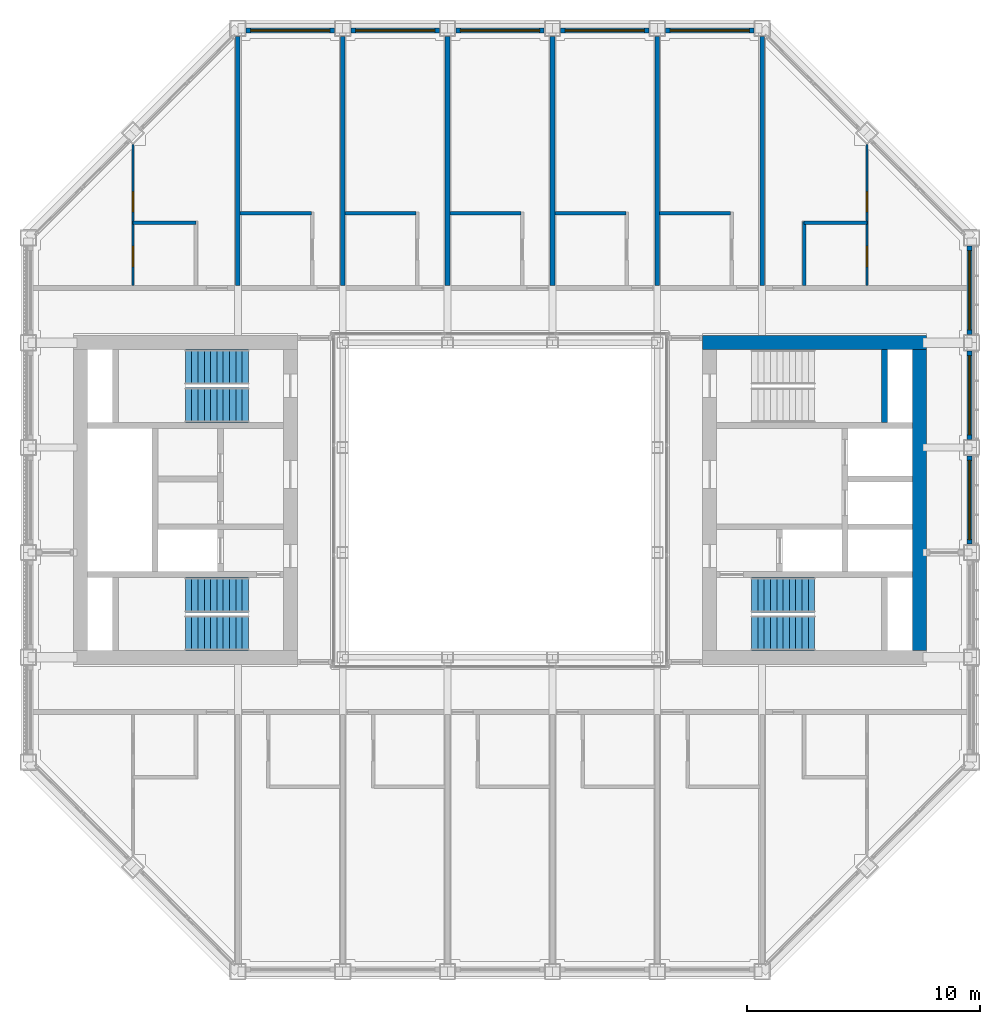
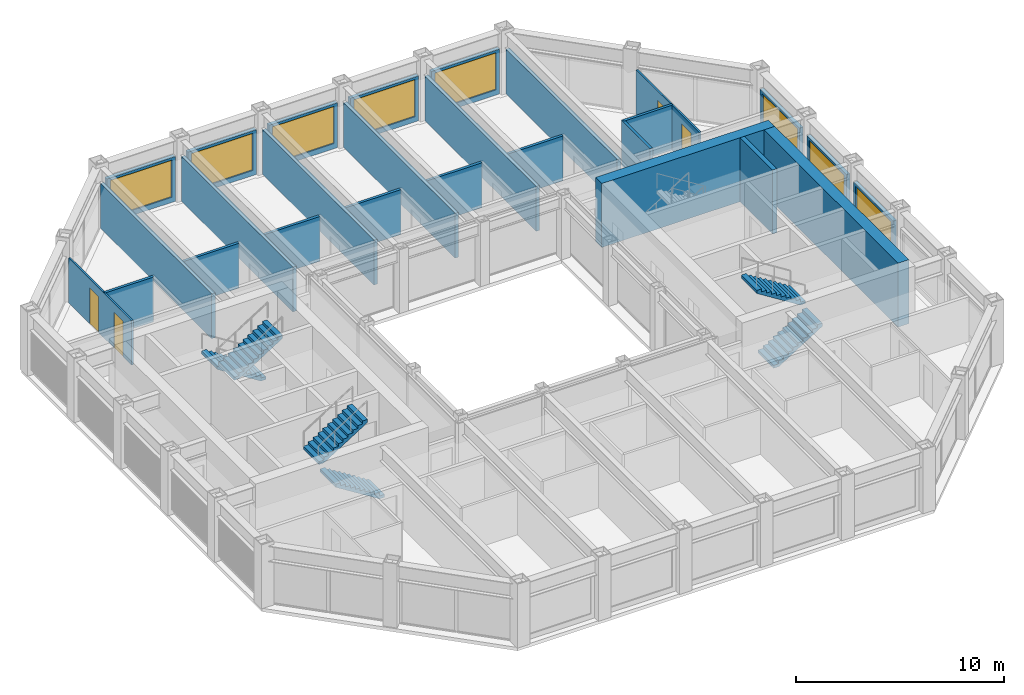
# One storey, part 12 of 18: 27 walls, 8 windows, 6 stair flights, 4 doors, 12 openings, 3 elements without a shape of their own.
"""IFC4 building model written with IfcOpenShell, lengths in metres."""

from ifc_helpers import new_model, si_unit, direction, frame, frame_2d, origin, place, context, subcontext, project, spatial, polyline, rectangle, outline, extrude, material, layer, layer_set, type_object, element, fill, aggregate, save


model = new_model("IFC4")

# Units and contexts
model_context = context("Model", 3, precision=1e-05, world=origin(), true_north=direction((0.0, 1.0)))
body_context = subcontext(model_context, "Body", "Model", "MODEL_VIEW")
ifc_project = project(units=[si_unit("LENGTHUNIT", "METRE"), si_unit("AREAUNIT", "SQUARE_METRE"), si_unit("VOLUMEUNIT", "CUBIC_METRE"), si_unit("PLANEANGLEUNIT", "RADIAN"), si_unit("MASSUNIT", "GRAM", prefix="KILO")], contexts=[model_context])

# Site, building, storey
site_placement = place(None, origin())
site = spatial("IfcSite", under=ifc_project, at=site_placement, CompositionType="ELEMENT")
building_placement = place(site_placement, origin())
building = spatial("IfcBuilding", under=site, at=building_placement, Name="Msasa Ring Tower", CompositionType="ELEMENT")
storey_placement = place(building_placement, frame((0.0, 0.0, 200.800048828125)))
storey = spatial("IfcBuildingStorey", under=building, at=storey_placement, Name="L52", CompositionType="ELEMENT", Elevation=200.800048828125)

# Walls
ifc_material_1 = material(Name="Concrete C60/75", Category="concrete")
ifc_layer_1 = layer(ifc_material_1, 0.60009765625)
ifc_layer_set_1 = layer_set([ifc_layer_1], Name="CW3 CORE WALL 600")
wall_type_1 = type_object("IfcWallType", Name="CW3 CORE WALL 600", PredefinedType="SHEAR", material=ifc_layer_set_1)
wall_1_placement = place(storey_placement, frame((8.699951171875, 6.75, 0.0), z_axis=(0.0, 0.0, 1.0), x_axis=(1.0, 0.0, 0.0)))
element("IfcWall", 1, at=wall_1_placement, inside=storey, type_object=wall_type_1, Name="E core wall N L52", PredefinedType="SHEAR", context=body_context, shape_type="SweptSolid", body=[
    extrude(rectangle(XDim=9.60009765625, YDim=0.60009765625, at=frame_2d((4.800048828125, 0.0))), origin(), (0.0, 0.0, 1.0), 3.75),
])
wall_2_placement = place(storey_placement, frame((18.0, -6.449951171875, 0.0), z_axis=(0.0, 0.0, 1.0), x_axis=(0.0, 1.0, 0.0)))
element("IfcWall", 2, at=wall_2_placement, inside=storey, type_object=wall_type_1, Name="E core wall E L52", PredefinedType="SHEAR", context=body_context, shape_type="SweptSolid", body=[
    extrude(rectangle(XDim=12.89990234375, YDim=0.60009765625, at=frame_2d((6.449951171875, 0.0))), origin(), (0.0, 0.0, 1.0), 3.75),
])
ifc_material_2 = material(Name="Concrete C60/75", Category="concrete")
ifc_layer_2 = layer(ifc_material_2, 0.25)
ifc_layer_set_2 = layer_set([ifc_layer_2], Name="CW4 CORE INNER WALL 250")
wall_type_2 = type_object("IfcWallType", Name="CW4 CORE INNER WALL 250", PredefinedType="SHEAR", material=ifc_layer_set_2)
wall_3_placement = place(storey_placement, frame((16.5, 3.324951171875, 0.0), z_axis=(0.0, 0.0, 1.0), x_axis=(0.0, 1.0, 0.0)))
element("IfcWall", 3, at=wall_3_placement, inside=storey, type_object=wall_type_2, Name="E core wall RISERB L52", PredefinedType="SHEAR", context=body_context, shape_type="SweptSolid", body=[
    extrude(rectangle(XDim=3.125, YDim=0.25, at=frame_2d((1.5625, 0.0))), origin(), (0.0, 0.0, 1.0), 3.75),
])

# Wall, opening, window
ifc_material_3 = material(Name="Terracotta rainscreen on blockwork", Category="masonry")
ifc_layer_3 = layer(ifc_material_3, 0.199951171875)
ifc_layer_set_3 = layer_set([ifc_layer_3], Name="FW1 TERRACOTTA-LINED INFILL BAY WALL 200")
wall_type_3 = type_object("IfcWallType", Name="FW1 TERRACOTTA-LINED INFILL BAY WALL 200", PredefinedType="SOLIDWALL", material=ifc_layer_set_3)
wall_4_placement = place(storey_placement, frame((20.14990234375, -1.89501953125, 0.0), z_axis=(0.0, 0.0, 1.0), x_axis=(0.0, 1.0, 0.0)))
wall_4 = element("IfcWall", 4, at=wall_4_placement, inside=storey, type_object=wall_type_3, Name="Infill bay wall E L52 09", PredefinedType="SOLIDWALL", context=body_context, shape_type="SweptSolid", body=[
    extrude(rectangle(XDim=3.7900390625, YDim=0.199951171875, at=frame_2d((1.89501953125, 0.0))), origin(), (0.0, 0.0, 1.0), 2.62890625),
])
opening_1_placement = place(wall_4_placement, frame((0.195068359375, 0.0, 0.300048828125)))
opening_1 = element("IfcOpeningElement", 5, at=opening_1_placement, cuts=wall_4, Name="Opening WN3", PredefinedType="OPENING", context=body_context, shape_type="SweptSolid", body=[
    extrude(rectangle(XDim=3.39990234375, YDim=2.178955078125, at=frame_2d((1.699951171875, 1.08935546875))), frame((0.0, 0.10986328125, 0.0), z_axis=(0.0, -1.0, 0.0), x_axis=(1.0, 0.0, 0.0)), (0.0, 0.0, 1.0), 0.219970703125),
])
ifc_material_4 = material(Name="Aluminium frame with clear glass", Category="aluminium")
window_type = type_object("IfcWindowType", Name="WN3 SUITE WINDOW 3400x2179", PartitioningType="SINGLE_PANEL", PredefinedType="WINDOW", material=ifc_material_4)
window_1_placement = place(opening_1_placement, origin())
window_1 = element("IfcWindow", 6, at=window_1_placement, inside=storey, type_object=window_type, Name="Window E L52 09", OverallHeight=2.178955078125, OverallWidth=3.39990234375, PartitioningType="SINGLE_PANEL", PredefinedType="WINDOW", context=body_context, shape_type="SweptSolid", body=[
    extrude(rectangle(XDim=3.39990234375, YDim=2.178955078125, at=frame_2d((1.699951171875, 1.08935546875))), frame((0.0, 0.030029296875, 0.0), z_axis=(0.0, -1.0, 0.0), x_axis=(1.0, 0.0, 0.0)), (0.0, 0.0, 1.0), 0.06005859375),
])
fill(opening_1, window_1)

wall_5_placement = place(storey_placement, frame((20.14990234375, 2.60498046875, 0.0), z_axis=(0.0, 0.0, 1.0), x_axis=(0.0, 1.0, 0.0)))
wall_5 = element("IfcWall", 7, at=wall_5_placement, inside=storey, type_object=wall_type_3, Name="Infill bay wall E L52 10", PredefinedType="SOLIDWALL", context=body_context, shape_type="SweptSolid", body=[
    extrude(rectangle(XDim=3.7900390625, YDim=0.199951171875, at=frame_2d((1.89501953125, 0.0))), origin(), (0.0, 0.0, 1.0), 2.62890625),
])
opening_2_placement = place(wall_5_placement, frame((0.195068359375, 0.0, 0.300048828125)))
opening_2 = element("IfcOpeningElement", 8, at=opening_2_placement, cuts=wall_5, Name="Opening WN3", PredefinedType="OPENING", context=body_context, shape_type="SweptSolid", body=[
    extrude(rectangle(XDim=3.39990234375, YDim=2.178955078125, at=frame_2d((1.699951171875, 1.08935546875))), frame((0.0, 0.10986328125, 0.0), z_axis=(0.0, -1.0, 0.0), x_axis=(1.0, 0.0, 0.0)), (0.0, 0.0, 1.0), 0.219970703125),
])
window_2_placement = place(opening_2_placement, origin())
window_2 = element("IfcWindow", 9, at=window_2_placement, inside=storey, type_object=window_type, Name="Window E L52 10", OverallHeight=2.178955078125, OverallWidth=3.39990234375, PartitioningType="SINGLE_PANEL", PredefinedType="WINDOW", context=body_context, shape_type="SweptSolid", body=[
    extrude(rectangle(XDim=3.39990234375, YDim=2.178955078125, at=frame_2d((1.699951171875, 1.08935546875))), frame((0.0, 0.030029296875, 0.0), z_axis=(0.0, -1.0, 0.0), x_axis=(1.0, 0.0, 0.0)), (0.0, 0.0, 1.0), 0.06005859375),
])
fill(opening_2, window_2)

wall_6_placement = place(storey_placement, frame((20.14990234375, 7.10498046875, 0.0), z_axis=(0.0, 0.0, 1.0), x_axis=(0.0, 1.0, 0.0)))
wall_6 = element("IfcWall", 10, at=wall_6_placement, inside=storey, type_object=wall_type_3, Name="Infill bay wall E L52 11", PredefinedType="SOLIDWALL", context=body_context, shape_type="SweptSolid", body=[
    extrude(rectangle(XDim=3.7900390625, YDim=0.199951171875, at=frame_2d((1.89501953125, 0.0))), origin(), (0.0, 0.0, 1.0), 2.62890625),
])
opening_3_placement = place(wall_6_placement, frame((0.195068359375, 0.0, 0.300048828125)))
opening_3 = element("IfcOpeningElement", 11, at=opening_3_placement, cuts=wall_6, Name="Opening WN3", PredefinedType="OPENING", context=body_context, shape_type="SweptSolid", body=[
    extrude(rectangle(XDim=3.39990234375, YDim=2.178955078125, at=frame_2d((1.699951171875, 1.08935546875))), frame((0.0, 0.10986328125, 0.0), z_axis=(0.0, -1.0, 0.0), x_axis=(1.0, 0.0, 0.0)), (0.0, 0.0, 1.0), 0.219970703125),
])
window_3_placement = place(opening_3_placement, origin())
window_3 = element("IfcWindow", 12, at=window_3_placement, inside=storey, type_object=window_type, Name="Window E L52 11", OverallHeight=2.178955078125, OverallWidth=3.39990234375, PartitioningType="SINGLE_PANEL", PredefinedType="WINDOW", context=body_context, shape_type="SweptSolid", body=[
    extrude(rectangle(XDim=3.39990234375, YDim=2.178955078125, at=frame_2d((1.699951171875, 1.08935546875))), frame((0.0, 0.030029296875, 0.0), z_axis=(0.0, -1.0, 0.0), x_axis=(1.0, 0.0, 0.0)), (0.0, 0.0, 1.0), 0.06005859375),
])
fill(opening_3, window_3)

wall_7_placement = place(storey_placement, frame((-10.89501953125, 20.14990234375, 0.0), z_axis=(0.0, 0.0, 1.0), x_axis=(1.0, 0.0, 0.0)))
wall_7 = element("IfcWall", 13, at=wall_7_placement, inside=storey, type_object=wall_type_3, Name="Infill bay wall N L52 14", PredefinedType="SOLIDWALL", context=body_context, shape_type="SweptSolid", body=[
    extrude(rectangle(XDim=3.7900390625, YDim=0.199951171875, at=frame_2d((1.89501953125, 0.0))), origin(), (0.0, 0.0, 1.0), 2.62890625),
])
opening_4_placement = place(wall_7_placement, frame((0.195068359375, 0.0, 0.300048828125)))
opening_4 = element("IfcOpeningElement", 14, at=opening_4_placement, cuts=wall_7, Name="Opening WN3", PredefinedType="OPENING", context=body_context, shape_type="SweptSolid", body=[
    extrude(rectangle(XDim=3.39990234375, YDim=2.178955078125, at=frame_2d((1.699951171875, 1.08935546875))), frame((0.0, 0.10986328125, 0.0), z_axis=(0.0, -1.0, 0.0), x_axis=(1.0, 0.0, 0.0)), (0.0, 0.0, 1.0), 0.219970703125),
])
window_4_placement = place(opening_4_placement, origin())
window_4 = element("IfcWindow", 15, at=window_4_placement, inside=storey, type_object=window_type, Name="Window N L52 14", OverallHeight=2.178955078125, OverallWidth=3.39990234375, PartitioningType="SINGLE_PANEL", PredefinedType="WINDOW", context=body_context, shape_type="SweptSolid", body=[
    extrude(rectangle(XDim=3.39990234375, YDim=2.178955078125, at=frame_2d((1.699951171875, 1.08935546875))), frame((0.0, 0.030029296875, 0.0), z_axis=(0.0, -1.0, 0.0), x_axis=(1.0, 0.0, 0.0)), (0.0, 0.0, 1.0), 0.06005859375),
])
fill(opening_4, window_4)

wall_8_placement = place(storey_placement, frame((-6.39501953125, 20.14990234375, 0.0), z_axis=(0.0, 0.0, 1.0), x_axis=(1.0, 0.0, 0.0)))
wall_8 = element("IfcWall", 16, at=wall_8_placement, inside=storey, type_object=wall_type_3, Name="Infill bay wall N L52 15", PredefinedType="SOLIDWALL", context=body_context, shape_type="SweptSolid", body=[
    extrude(rectangle(XDim=3.7900390625, YDim=0.199951171875, at=frame_2d((1.89501953125, 0.0))), origin(), (0.0, 0.0, 1.0), 2.62890625),
])
opening_5_placement = place(wall_8_placement, frame((0.195068359375, 0.0, 0.300048828125)))
opening_5 = element("IfcOpeningElement", 17, at=opening_5_placement, cuts=wall_8, Name="Opening WN3", PredefinedType="OPENING", context=body_context, shape_type="SweptSolid", body=[
    extrude(rectangle(XDim=3.39990234375, YDim=2.178955078125, at=frame_2d((1.699951171875, 1.08935546875))), frame((0.0, 0.10986328125, 0.0), z_axis=(0.0, -1.0, 0.0), x_axis=(1.0, 0.0, 0.0)), (0.0, 0.0, 1.0), 0.219970703125),
])
window_5_placement = place(opening_5_placement, origin())
window_5 = element("IfcWindow", 18, at=window_5_placement, inside=storey, type_object=window_type, Name="Window N L52 15", OverallHeight=2.178955078125, OverallWidth=3.39990234375, PartitioningType="SINGLE_PANEL", PredefinedType="WINDOW", context=body_context, shape_type="SweptSolid", body=[
    extrude(rectangle(XDim=3.39990234375, YDim=2.178955078125, at=frame_2d((1.699951171875, 1.08935546875))), frame((0.0, 0.030029296875, 0.0), z_axis=(0.0, -1.0, 0.0), x_axis=(1.0, 0.0, 0.0)), (0.0, 0.0, 1.0), 0.06005859375),
])
fill(opening_5, window_5)

wall_9_placement = place(storey_placement, frame((-1.89501953125, 20.14990234375, 0.0), z_axis=(0.0, 0.0, 1.0), x_axis=(1.0, 0.0, 0.0)))
wall_9 = element("IfcWall", 19, at=wall_9_placement, inside=storey, type_object=wall_type_3, Name="Infill bay wall N L52 16", PredefinedType="SOLIDWALL", context=body_context, shape_type="SweptSolid", body=[
    extrude(rectangle(XDim=3.7900390625, YDim=0.199951171875, at=frame_2d((1.89501953125, 0.0))), origin(), (0.0, 0.0, 1.0), 2.62890625),
])
opening_6_placement = place(wall_9_placement, frame((0.195068359375, 0.0, 0.300048828125)))
opening_6 = element("IfcOpeningElement", 20, at=opening_6_placement, cuts=wall_9, Name="Opening WN3", PredefinedType="OPENING", context=body_context, shape_type="SweptSolid", body=[
    extrude(rectangle(XDim=3.39990234375, YDim=2.178955078125, at=frame_2d((1.699951171875, 1.08935546875))), frame((0.0, 0.10986328125, 0.0), z_axis=(0.0, -1.0, 0.0), x_axis=(1.0, 0.0, 0.0)), (0.0, 0.0, 1.0), 0.219970703125),
])
window_6_placement = place(opening_6_placement, origin())
window_6 = element("IfcWindow", 21, at=window_6_placement, inside=storey, type_object=window_type, Name="Window N L52 16", OverallHeight=2.178955078125, OverallWidth=3.39990234375, PartitioningType="SINGLE_PANEL", PredefinedType="WINDOW", context=body_context, shape_type="SweptSolid", body=[
    extrude(rectangle(XDim=3.39990234375, YDim=2.178955078125, at=frame_2d((1.699951171875, 1.08935546875))), frame((0.0, 0.030029296875, 0.0), z_axis=(0.0, -1.0, 0.0), x_axis=(1.0, 0.0, 0.0)), (0.0, 0.0, 1.0), 0.06005859375),
])
fill(opening_6, window_6)

wall_10_placement = place(storey_placement, frame((2.60498046875, 20.14990234375, 0.0), z_axis=(0.0, 0.0, 1.0), x_axis=(1.0, 0.0, 0.0)))
wall_10 = element("IfcWall", 22, at=wall_10_placement, inside=storey, type_object=wall_type_3, Name="Infill bay wall N L52 17", PredefinedType="SOLIDWALL", context=body_context, shape_type="SweptSolid", body=[
    extrude(rectangle(XDim=3.7900390625, YDim=0.199951171875, at=frame_2d((1.89501953125, 0.0))), origin(), (0.0, 0.0, 1.0), 2.62890625),
])
opening_7_placement = place(wall_10_placement, frame((0.195068359375, 0.0, 0.300048828125)))
opening_7 = element("IfcOpeningElement", 23, at=opening_7_placement, cuts=wall_10, Name="Opening WN3", PredefinedType="OPENING", context=body_context, shape_type="SweptSolid", body=[
    extrude(rectangle(XDim=3.39990234375, YDim=2.178955078125, at=frame_2d((1.699951171875, 1.08935546875))), frame((0.0, 0.10986328125, 0.0), z_axis=(0.0, -1.0, 0.0), x_axis=(1.0, 0.0, 0.0)), (0.0, 0.0, 1.0), 0.219970703125),
])
window_7_placement = place(opening_7_placement, origin())
window_7 = element("IfcWindow", 24, at=window_7_placement, inside=storey, type_object=window_type, Name="Window N L52 17", OverallHeight=2.178955078125, OverallWidth=3.39990234375, PartitioningType="SINGLE_PANEL", PredefinedType="WINDOW", context=body_context, shape_type="SweptSolid", body=[
    extrude(rectangle(XDim=3.39990234375, YDim=2.178955078125, at=frame_2d((1.699951171875, 1.08935546875))), frame((0.0, 0.030029296875, 0.0), z_axis=(0.0, -1.0, 0.0), x_axis=(1.0, 0.0, 0.0)), (0.0, 0.0, 1.0), 0.06005859375),
])
fill(opening_7, window_7)

wall_11_placement = place(storey_placement, frame((7.10498046875, 20.14990234375, 0.0), z_axis=(0.0, 0.0, 1.0), x_axis=(1.0, 0.0, 0.0)))
wall_11 = element("IfcWall", 25, at=wall_11_placement, inside=storey, type_object=wall_type_3, Name="Infill bay wall N L52 18", PredefinedType="SOLIDWALL", context=body_context, shape_type="SweptSolid", body=[
    extrude(rectangle(XDim=3.7900390625, YDim=0.199951171875, at=frame_2d((1.89501953125, 0.0))), origin(), (0.0, 0.0, 1.0), 2.62890625),
])
opening_8_placement = place(wall_11_placement, frame((0.195068359375, 0.0, 0.300048828125)))
opening_8 = element("IfcOpeningElement", 26, at=opening_8_placement, cuts=wall_11, Name="Opening WN3", PredefinedType="OPENING", context=body_context, shape_type="SweptSolid", body=[
    extrude(rectangle(XDim=3.39990234375, YDim=2.178955078125, at=frame_2d((1.699951171875, 1.08935546875))), frame((0.0, 0.10986328125, 0.0), z_axis=(0.0, -1.0, 0.0), x_axis=(1.0, 0.0, 0.0)), (0.0, 0.0, 1.0), 0.219970703125),
])
window_8_placement = place(opening_8_placement, origin())
window_8 = element("IfcWindow", 27, at=window_8_placement, inside=storey, type_object=window_type, Name="Window N L52 18", OverallHeight=2.178955078125, OverallWidth=3.39990234375, PartitioningType="SINGLE_PANEL", PredefinedType="WINDOW", context=body_context, shape_type="SweptSolid", body=[
    extrude(rectangle(XDim=3.39990234375, YDim=2.178955078125, at=frame_2d((1.699951171875, 1.08935546875))), frame((0.0, 0.030029296875, 0.0), z_axis=(0.0, -1.0, 0.0), x_axis=(1.0, 0.0, 0.0)), (0.0, 0.0, 1.0), 0.06005859375),
])
fill(opening_8, window_8)

# Wall, openings, doors
ifc_material_5 = material(Name="Gypsum board on steel studs", Category="steel")
ifc_layer_4 = layer(ifc_material_5, 0.10009765625)
ifc_layer_set_4 = layer_set([ifc_layer_4], Name="PT2 STUD PARTITION 100")
wall_type_4 = type_object("IfcWallType", Name="PT2 STUD PARTITION 100", PredefinedType="PARTITIONING", material=ifc_layer_set_4)
wall_12_placement = place(storey_placement, frame((15.75, 9.199951171875, 0.0), z_axis=(0.0, 0.0, 1.0), x_axis=(0.0, 1.0, 0.0)))
wall_12 = element("IfcWall", 28, at=wall_12_placement, inside=storey, type_object=wall_type_4, Name="Partition L52-CSNEP1", PredefinedType="PARTITIONING", context=body_context, shape_type="SweptSolid", body=[
    extrude(rectangle(XDim=6.054931640625, YDim=0.10009765625, at=frame_2d((3.02734375, 0.0))), origin(), (0.0, 0.0, 1.0), 2.62890625),
])
opening_9_placement = place(wall_12_placement, frame((3.175048828125, 0.0, 0.0)))
opening_9 = element("IfcOpeningElement", 29, at=opening_9_placement, cuts=wall_12, Name="Opening SA-002", PredefinedType="OPENING", context=body_context, shape_type="SweptSolid", body=[
    extrude(rectangle(XDim=0.85009765625, YDim=2.10009765625, at=frame_2d((0.425048828125, 1.050048828125))), frame((0.0, 0.06005859375, 0.0), z_axis=(0.0, -1.0, 0.0), x_axis=(1.0, 0.0, 0.0)), (0.0, 0.0, 1.0), 0.1201171875),
])
opening_10_placement = place(wall_12_placement, frame((0.800048828125, 0.0, 0.0)))
opening_10 = element("IfcOpeningElement", 30, at=opening_10_placement, cuts=wall_12, Name="Opening SA-009", PredefinedType="OPENING", context=body_context, shape_type="SweptSolid", body=[
    extrude(rectangle(XDim=0.89990234375, YDim=2.10009765625, at=frame_2d((0.449951171875, 1.050048828125))), frame((0.0, 0.06005859375, 0.0), z_axis=(0.0, -1.0, 0.0), x_axis=(1.0, 0.0, 0.0)), (0.0, 0.0, 1.0), 0.1201171875),
])
ifc_material_6 = material(Name="Timber door leaf in a steel frame", Category="steel")
door_type_1 = type_object("IfcDoorType", Name="D14 BEDROOM DOOR 850x2100", OperationType="SINGLE_SWING_LEFT", PredefinedType="DOOR", material=ifc_material_6)
door_1_placement = place(opening_9_placement, origin())
door_1 = element("IfcDoor", 31, at=door_1_placement, inside=storey, type_object=door_type_1, Name="Door L52-CSNER1", OperationType="SINGLE_SWING_RIGHT", OverallHeight=2.10009765625, OverallWidth=0.85009765625, PredefinedType="DOOR", context=body_context, shape_type="SweptSolid", body=[
    extrude(rectangle(XDim=0.85009765625, YDim=2.10009765625, at=frame_2d((0.425048828125, 1.050048828125))), frame((0.0, 0.02490234375, 0.0), z_axis=(0.0, -1.0, 0.0), x_axis=(1.0, 0.0, 0.0)), (0.0, 0.0, 1.0), 0.050048828125),
])
fill(opening_9, door_1)
ifc_material_7 = material(Name="Timber door leaf in a steel frame", Category="steel")
door_type_2 = type_object("IfcDoorType", Name="D3 BATHROOM DOOR 900x2100", OperationType="SINGLE_SWING_LEFT", PredefinedType="DOOR", material=ifc_material_7)
door_2_placement = place(opening_10_placement, origin())
door_2 = element("IfcDoor", 32, at=door_2_placement, inside=storey, type_object=door_type_2, Name="Door L52-CSNEB1", OperationType="SINGLE_SWING_LEFT", OverallHeight=2.10009765625, OverallWidth=0.89990234375, PredefinedType="DOOR", context=body_context, shape_type="SweptSolid", body=[
    extrude(rectangle(XDim=0.89990234375, YDim=2.10009765625, at=frame_2d((0.449951171875, 1.050048828125))), frame((0.0, 0.02490234375, 0.0), z_axis=(0.0, -1.0, 0.0), x_axis=(1.0, 0.0, 0.0)), (0.0, 0.0, 1.0), 0.050048828125),
])
fill(opening_10, door_2)

wall_13_placement = place(storey_placement, frame((-15.75, 9.199951171875, 0.0), z_axis=(0.0, 0.0, 1.0), x_axis=(0.0, 1.0, 0.0)))
wall_13 = element("IfcWall", 33, at=wall_13_placement, inside=storey, type_object=wall_type_4, Name="Partition L52-CSNWP1", PredefinedType="PARTITIONING", context=body_context, shape_type="SweptSolid", body=[
    extrude(rectangle(XDim=6.054931640625, YDim=0.10009765625, at=frame_2d((3.02734375, 0.0))), origin(), (0.0, 0.0, 1.0), 2.62890625),
])
opening_11_placement = place(wall_13_placement, frame((3.175048828125, 0.0, 0.0)))
opening_11 = element("IfcOpeningElement", 34, at=opening_11_placement, cuts=wall_13, Name="Opening SA-001", PredefinedType="OPENING", context=body_context, shape_type="SweptSolid", body=[
    extrude(rectangle(XDim=0.85009765625, YDim=2.10009765625, at=frame_2d((0.425048828125, 1.050048828125))), frame((0.0, 0.06005859375, 0.0), z_axis=(0.0, -1.0, 0.0), x_axis=(1.0, 0.0, 0.0)), (0.0, 0.0, 1.0), 0.1201171875),
])
opening_12_placement = place(wall_13_placement, frame((0.800048828125, 0.0, 0.0)))
opening_12 = element("IfcOpeningElement", 35, at=opening_12_placement, cuts=wall_13, Name="Opening SA-008", PredefinedType="OPENING", context=body_context, shape_type="SweptSolid", body=[
    extrude(rectangle(XDim=0.89990234375, YDim=2.10009765625, at=frame_2d((0.449951171875, 1.050048828125))), frame((0.0, 0.06005859375, 0.0), z_axis=(0.0, -1.0, 0.0), x_axis=(1.0, 0.0, 0.0)), (0.0, 0.0, 1.0), 0.1201171875),
])
door_3_placement = place(opening_11_placement, origin())
door_3 = element("IfcDoor", 36, at=door_3_placement, inside=storey, type_object=door_type_1, Name="Door L52-CSNWR1", OperationType="SINGLE_SWING_RIGHT", OverallHeight=2.10009765625, OverallWidth=0.85009765625, PredefinedType="DOOR", context=body_context, shape_type="SweptSolid", body=[
    extrude(rectangle(XDim=0.85009765625, YDim=2.10009765625, at=frame_2d((0.425048828125, 1.050048828125))), frame((0.0, 0.02490234375, 0.0), z_axis=(0.0, -1.0, 0.0), x_axis=(1.0, 0.0, 0.0)), (0.0, 0.0, 1.0), 0.050048828125),
])
fill(opening_11, door_3)
door_4_placement = place(opening_12_placement, origin())
door_4 = element("IfcDoor", 37, at=door_4_placement, inside=storey, type_object=door_type_2, Name="Door L52-CSNWB1", OperationType="SINGLE_SWING_LEFT", OverallHeight=2.10009765625, OverallWidth=0.89990234375, PredefinedType="DOOR", context=body_context, shape_type="SweptSolid", body=[
    extrude(rectangle(XDim=0.89990234375, YDim=2.10009765625, at=frame_2d((0.449951171875, 1.050048828125))), frame((0.0, 0.02490234375, 0.0), z_axis=(0.0, -1.0, 0.0), x_axis=(1.0, 0.0, 0.0)), (0.0, 0.0, 1.0), 0.050048828125),
])
fill(opening_12, door_4)

# Walls
ifc_material_8 = material(Name="Dense concrete blockwork, plastered both faces", Category="masonry")
ifc_layer_5 = layer(ifc_material_8, 0.25)
ifc_layer_set_5 = layer_set([ifc_layer_5], Name="PT3 APARTMENT SEPARATING WALL 250")
wall_type_5 = type_object("IfcWallType", Name="PT3 APARTMENT SEPARATING WALL 250", PredefinedType="PARTITIONING", material=ifc_layer_set_5)
for number, where, z_axis, x_axis, name in (
    (38, (-11.25, 9.199951171875, 0.0), (0.0, 0.0, 1.0), (0.0, 1.0, 0.0), "Party wall L52-PWN-11.25"),
    (39, (-6.75, 9.199951171875, 0.0), (0.0, 0.0, 1.0), (0.0, 1.0, 0.0), "Party wall L52-PWN-6.75"),
    (40, (-2.25, 9.199951171875, 0.0), (0.0, 0.0, 1.0), (0.0, 1.0, 0.0), "Party wall L52-PWN-2.25"),
    (41, (2.25, 9.199951171875, 0.0), (0.0, 0.0, 1.0), (0.0, 1.0, 0.0), "Party wall L52-PWN+2.25"),
    (42, (6.75, 9.199951171875, 0.0), (0.0, 0.0, 1.0), (0.0, 1.0, 0.0), "Party wall L52-PWN+6.75"),
    (43, (11.25, 9.199951171875, 0.0), (0.0, 0.0, 1.0), (0.0, 1.0, 0.0), "Party wall L52-PWN+11.25"),
):
    element("IfcWall", number, at=place(storey_placement, frame(where, z_axis=z_axis, x_axis=x_axis)), inside=storey, type_object=wall_type_5, Name=name, PredefinedType="PARTITIONING", context=body_context, shape_type="SweptSolid", body=[
        extrude(rectangle(XDim=10.699951171875, YDim=0.199951171875, at=frame_2d((5.35009765625, 0.0))), origin(), (0.0, 0.0, 1.0), 2.62890625),
    ])
ifc_material_9 = material(Name="Moisture-resistant board on steel studs with a concealed cistern and pipe void, tiled", Category="steel")
ifc_layer_6 = layer(ifc_material_9, 0.14990234375)
ifc_layer_set_6 = layer_set([ifc_layer_6], Name="PT4 BATHROOM WET WALL 150")
wall_type_6 = type_object("IfcWallType", Name="PT4 BATHROOM WET WALL 150", PredefinedType="PARTITIONING", material=ifc_layer_set_6)
for number, where, z_axis, x_axis, name in (
    (44, (-11.14990234375, 12.300048828125, 0.0), (0.0, 0.0, 1.0), (1.0, 0.0, 0.0), "Partition L52-JN00BY"),
    (45, (-6.64990234375, 12.300048828125, 0.0), (0.0, 0.0, 1.0), (1.0, 0.0, 0.0), "Partition L52-JN01BY"),
    (46, (-2.14990234375, 12.300048828125, 0.0), (0.0, 0.0, 1.0), (1.0, 0.0, 0.0), "Partition L52-JN02BY"),
    (47, (2.35009765625, 12.300048828125, 0.0), (0.0, 0.0, 1.0), (1.0, 0.0, 0.0), "Partition L52-JN03BY"),
    (48, (6.85009765625, 12.300048828125, 0.0), (0.0, 0.0, 1.0), (1.0, 0.0, 0.0), "Partition L52-JN04BY"),
):
    element("IfcWall", number, at=place(storey_placement, frame(where, z_axis=z_axis, x_axis=x_axis)), inside=storey, type_object=wall_type_6, Name=name, PredefinedType="PARTITIONING", context=body_context, shape_type="SweptSolid", body=[
        extrude(rectangle(XDim=3.0498046875, YDim=0.14990234375, at=frame_2d((1.52490234375, 0.0))), origin(), (0.0, 0.0, 1.0), 2.62890625),
    ])
wall_14_placement = place(storey_placement, frame((13.050048828125, 9.199951171875, 0.0), z_axis=(0.0, 0.0, 1.0), x_axis=(0.0, 1.0, 0.0)))
element("IfcWall", 49, at=wall_14_placement, inside=storey, type_object=wall_type_6, Name="Partition L52-CSNEBX", PredefinedType="PARTITIONING", context=body_context, shape_type="SweptSolid", body=[
    extrude(rectangle(XDim=2.75, YDim=0.14990234375, at=frame_2d((1.375, 0.0))), origin(), (0.0, 0.0, 1.0), 2.62890625),
])
for number, where, z_axis, x_axis, name in (
    (50, (13.050048828125, 11.89990234375, 0.0), (0.0, 0.0, 1.0), (1.0, 0.0, 0.0), "Partition L52-CSNEBY"),
    (51, (-15.75, 11.89990234375, 0.0), (0.0, 0.0, 1.0), (1.0, 0.0, 0.0), "Partition L52-CSNWBY"),
):
    element("IfcWall", number, at=place(storey_placement, frame(where, z_axis=z_axis, x_axis=x_axis)), inside=storey, type_object=wall_type_6, Name=name, PredefinedType="PARTITIONING", context=body_context, shape_type="SweptSolid", body=[
        extrude(rectangle(XDim=2.699951171875, YDim=0.14990234375, at=frame_2d((1.35009765625, 0.0))), origin(), (0.0, 0.0, 1.0), 2.62890625),
    ])

# Stair, stair flights
ifc_material_10 = material(Name="Concrete C40/50", Category="concrete")
stair_type = type_object("IfcStairType", Name="STC CORE STAIR 22 RISERS 170.5", PredefinedType="HALF_TURN_STAIR", material=ifc_material_10)
stair_1_placement = place(storey_placement, origin())
stair_1 = element("IfcStair", 52, at=stair_1_placement, inside=storey, type_object=stair_type, Name="Core stair SEA L52", PredefinedType="HALF_TURN_STAIR")
ifc_material_11 = material(Name="Concrete C40/50", Category="concrete")
stair_flight_type = type_object("IfcStairFlightType", Name="ST11 CORE STAIR FLIGHT 1500 11 RISERS 170.5", PredefinedType="STRAIGHT", material=ifc_material_11)
stair_flight_1_placement = place(storey_placement, frame((10.800048828125, -5.699951171875, 0.0), z_axis=(0.0, 0.0, 1.0), x_axis=(1.0, 0.0, 0.0)))
stair_flight_1 = element("IfcStairFlight", 53, at=stair_flight_1_placement, type_object=stair_flight_type, Name="SEA flight 1", NumberOfRisers=11, NumberOfTreads=10, PredefinedType="STRAIGHT", RiserHeight=0.170454545, TreadLength=0.27, context=body_context, shape_type="SweptSolid", body=[
    extrude(outline(polyline([(0.0, 0.0), (0.0, 0.17041015625), (0.27001953125, 0.17041015625), (0.27001953125, 0.3408203125), (0.5400390625, 0.3408203125), (0.5400390625, 0.511474609375), (0.81005859375, 0.511474609375), (0.81005859375, 0.681884765625), (1.080078125, 0.681884765625), (1.080078125, 0.852294921875), (1.35009765625, 0.852294921875), (1.35009765625, 1.022705078125), (1.6201171875, 1.022705078125), (1.6201171875, 1.193115234375), (1.889892578125, 1.193115234375), (1.889892578125, 1.363525390625), (2.159912109375, 1.363525390625), (2.159912109375, 1.5341796875), (2.429931640625, 1.5341796875), (2.429931640625, 1.70458984375), (2.699951171875, 1.70458984375), (2.699951171875, 1.875), (2.699951171875, 1.52734375), (0.28076171875, 0.0), (0.0, 0.0)])), frame((0.0, 0.75, 0.0), z_axis=(0.0, -1.0, 0.0), x_axis=(1.0, 0.0, 0.0)), (0.0, 0.0, 1.0), 1.5),
])
stair_flight_2_placement = place(storey_placement, frame((13.5, -4.074951171875, 1.875), z_axis=(0.0, 0.0, 1.0), x_axis=(-1.0, 0.0, 0.0)))
stair_flight_2 = element("IfcStairFlight", 54, at=stair_flight_2_placement, type_object=stair_flight_type, Name="SEA flight 2", NumberOfRisers=11, NumberOfTreads=10, PredefinedType="STRAIGHT", RiserHeight=0.170454545, TreadLength=0.27, context=body_context, shape_type="SweptSolid", body=[
    extrude(outline(polyline([(0.0, 0.0), (0.0, 0.17041015625), (0.27001953125, 0.17041015625), (0.27001953125, 0.3408203125), (0.5400390625, 0.3408203125), (0.5400390625, 0.511474609375), (0.81005859375, 0.511474609375), (0.81005859375, 0.681884765625), (1.080078125, 0.681884765625), (1.080078125, 0.852294921875), (1.35009765625, 0.852294921875), (1.35009765625, 1.022705078125), (1.6201171875, 1.022705078125), (1.6201171875, 1.193115234375), (1.889892578125, 1.193115234375), (1.889892578125, 1.363525390625), (2.159912109375, 1.363525390625), (2.159912109375, 1.5341796875), (2.429931640625, 1.5341796875), (2.429931640625, 1.70458984375), (2.699951171875, 1.70458984375), (2.699951171875, 1.875), (2.699951171875, 1.52734375), (0.28076171875, 0.0), (0.0, 0.0)])), frame((0.0, 0.75, 0.0), z_axis=(0.0, -1.0, 0.0), x_axis=(1.0, 0.0, 0.0)), (0.0, 0.0, 1.0), 1.5),
])
aggregate(stair_1, [stair_flight_1, stair_flight_2])

stair_2_placement = place(storey_placement, origin())
stair_2 = element("IfcStair", 55, at=stair_2_placement, inside=storey, type_object=stair_type, Name="Core stair SWA L52", PredefinedType="HALF_TURN_STAIR")
stair_flight_3_placement = place(storey_placement, frame((-10.800048828125, -5.699951171875, 0.0), z_axis=(0.0, 0.0, 1.0), x_axis=(-1.0, 0.0, 0.0)))
stair_flight_3 = element("IfcStairFlight", 56, at=stair_flight_3_placement, type_object=stair_flight_type, Name="SWA flight 1", NumberOfRisers=11, NumberOfTreads=10, PredefinedType="STRAIGHT", RiserHeight=0.170454545, TreadLength=0.27, context=body_context, shape_type="SweptSolid", body=[
    extrude(outline(polyline([(0.0, 0.0), (0.0, 0.17041015625), (0.27001953125, 0.17041015625), (0.27001953125, 0.3408203125), (0.5400390625, 0.3408203125), (0.5400390625, 0.511474609375), (0.81005859375, 0.511474609375), (0.81005859375, 0.681884765625), (1.080078125, 0.681884765625), (1.080078125, 0.852294921875), (1.35009765625, 0.852294921875), (1.35009765625, 1.022705078125), (1.6201171875, 1.022705078125), (1.6201171875, 1.193115234375), (1.889892578125, 1.193115234375), (1.889892578125, 1.363525390625), (2.159912109375, 1.363525390625), (2.159912109375, 1.5341796875), (2.429931640625, 1.5341796875), (2.429931640625, 1.70458984375), (2.699951171875, 1.70458984375), (2.699951171875, 1.875), (2.699951171875, 1.52734375), (0.28076171875, 0.0), (0.0, 0.0)])), frame((0.0, 0.75, 0.0), z_axis=(0.0, -1.0, 0.0), x_axis=(1.0, 0.0, 0.0)), (0.0, 0.0, 1.0), 1.5),
])
stair_flight_4_placement = place(storey_placement, frame((-13.5, -4.074951171875, 1.875), z_axis=(0.0, 0.0, 1.0), x_axis=(1.0, 0.0, 0.0)))
stair_flight_4 = element("IfcStairFlight", 57, at=stair_flight_4_placement, type_object=stair_flight_type, Name="SWA flight 2", NumberOfRisers=11, NumberOfTreads=10, PredefinedType="STRAIGHT", RiserHeight=0.170454545, TreadLength=0.27, context=body_context, shape_type="SweptSolid", body=[
    extrude(outline(polyline([(0.0, 0.0), (0.0, 0.17041015625), (0.27001953125, 0.17041015625), (0.27001953125, 0.3408203125), (0.5400390625, 0.3408203125), (0.5400390625, 0.511474609375), (0.81005859375, 0.511474609375), (0.81005859375, 0.681884765625), (1.080078125, 0.681884765625), (1.080078125, 0.852294921875), (1.35009765625, 0.852294921875), (1.35009765625, 1.022705078125), (1.6201171875, 1.022705078125), (1.6201171875, 1.193115234375), (1.889892578125, 1.193115234375), (1.889892578125, 1.363525390625), (2.159912109375, 1.363525390625), (2.159912109375, 1.5341796875), (2.429931640625, 1.5341796875), (2.429931640625, 1.70458984375), (2.699951171875, 1.70458984375), (2.699951171875, 1.875), (2.699951171875, 1.52734375), (0.28076171875, 0.0), (0.0, 0.0)])), frame((0.0, 0.75, 0.0), z_axis=(0.0, -1.0, 0.0), x_axis=(1.0, 0.0, 0.0)), (0.0, 0.0, 1.0), 1.5),
])
aggregate(stair_2, [stair_flight_3, stair_flight_4])

stair_3_placement = place(storey_placement, origin())
stair_3 = element("IfcStair", 58, at=stair_3_placement, inside=storey, type_object=stair_type, Name="Core stair SWB L52", PredefinedType="HALF_TURN_STAIR")
stair_flight_5_placement = place(storey_placement, frame((-10.800048828125, 5.699951171875, 0.0), z_axis=(0.0, 0.0, 1.0), x_axis=(-1.0, 0.0, 0.0)))
stair_flight_5 = element("IfcStairFlight", 59, at=stair_flight_5_placement, type_object=stair_flight_type, Name="SWB flight 1", NumberOfRisers=11, NumberOfTreads=10, PredefinedType="STRAIGHT", RiserHeight=0.170454545, TreadLength=0.27, context=body_context, shape_type="SweptSolid", body=[
    extrude(outline(polyline([(0.0, 0.0), (0.0, 0.17041015625), (0.27001953125, 0.17041015625), (0.27001953125, 0.3408203125), (0.5400390625, 0.3408203125), (0.5400390625, 0.511474609375), (0.81005859375, 0.511474609375), (0.81005859375, 0.681884765625), (1.080078125, 0.681884765625), (1.080078125, 0.852294921875), (1.35009765625, 0.852294921875), (1.35009765625, 1.022705078125), (1.6201171875, 1.022705078125), (1.6201171875, 1.193115234375), (1.889892578125, 1.193115234375), (1.889892578125, 1.363525390625), (2.159912109375, 1.363525390625), (2.159912109375, 1.5341796875), (2.429931640625, 1.5341796875), (2.429931640625, 1.70458984375), (2.699951171875, 1.70458984375), (2.699951171875, 1.875), (2.699951171875, 1.52734375), (0.28076171875, 0.0), (0.0, 0.0)])), frame((0.0, 0.75, 0.0), z_axis=(0.0, -1.0, 0.0), x_axis=(1.0, 0.0, 0.0)), (0.0, 0.0, 1.0), 1.5),
])
stair_flight_6_placement = place(storey_placement, frame((-13.5, 4.074951171875, 1.875), z_axis=(0.0, 0.0, 1.0), x_axis=(1.0, 0.0, 0.0)))
stair_flight_6 = element("IfcStairFlight", 60, at=stair_flight_6_placement, type_object=stair_flight_type, Name="SWB flight 2", NumberOfRisers=11, NumberOfTreads=10, PredefinedType="STRAIGHT", RiserHeight=0.170454545, TreadLength=0.27, context=body_context, shape_type="SweptSolid", body=[
    extrude(outline(polyline([(0.0, 0.0), (0.0, 0.17041015625), (0.27001953125, 0.17041015625), (0.27001953125, 0.3408203125), (0.5400390625, 0.3408203125), (0.5400390625, 0.511474609375), (0.81005859375, 0.511474609375), (0.81005859375, 0.681884765625), (1.080078125, 0.681884765625), (1.080078125, 0.852294921875), (1.35009765625, 0.852294921875), (1.35009765625, 1.022705078125), (1.6201171875, 1.022705078125), (1.6201171875, 1.193115234375), (1.889892578125, 1.193115234375), (1.889892578125, 1.363525390625), (2.159912109375, 1.363525390625), (2.159912109375, 1.5341796875), (2.429931640625, 1.5341796875), (2.429931640625, 1.70458984375), (2.699951171875, 1.70458984375), (2.699951171875, 1.875), (2.699951171875, 1.52734375), (0.28076171875, 0.0), (0.0, 0.0)])), frame((0.0, 0.75, 0.0), z_axis=(0.0, -1.0, 0.0), x_axis=(1.0, 0.0, 0.0)), (0.0, 0.0, 1.0), 1.5),
])
aggregate(stair_3, [stair_flight_5, stair_flight_6])

save(model, "model.ifc")
